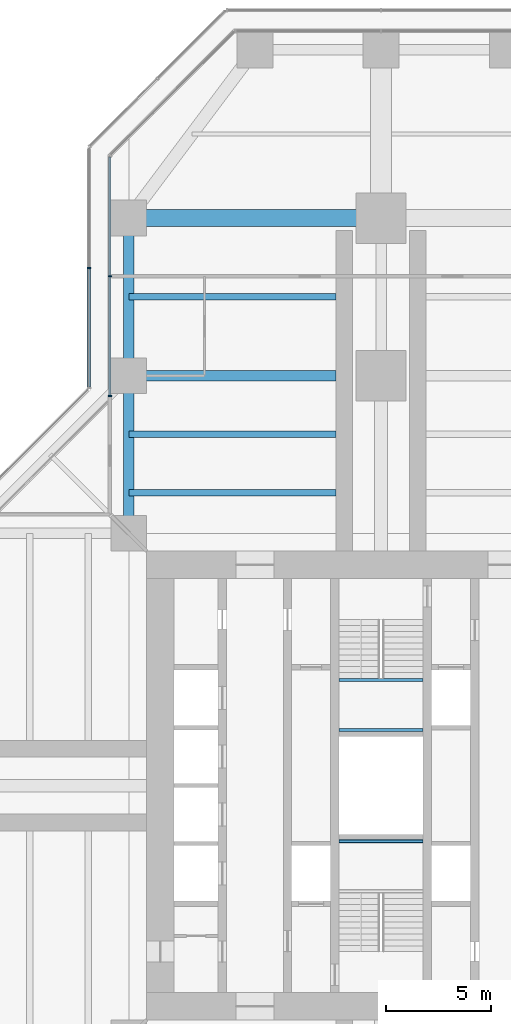
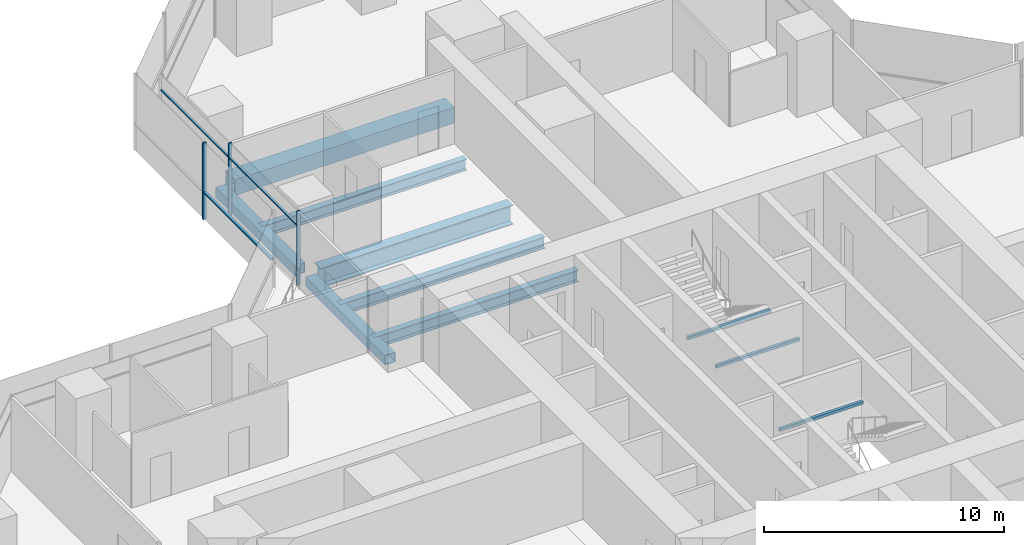
# One storey, part 9 of 22: 10 beams, 6 members, 2 elements without a shape of their own.
"""IFC4 building model written with IfcOpenShell, lengths in metres."""

from ifc_helpers import new_model, si_unit, direction, frame, origin, origin_2d, place, context, subcontext, project, spatial, rectangle, hollow_rectangle, i_section, extrude, material, material_profile, profile_set, type_object, element, aggregate, save


model = new_model("IFC4")

# Units and contexts
model_context = context("Model", 3, precision=1e-05, world=origin(), true_north=direction((0.0, 1.0)))
body_context = subcontext(model_context, "Body", "Model", "MODEL_VIEW")
ifc_project = project(units=[si_unit("LENGTHUNIT", "METRE"), si_unit("AREAUNIT", "SQUARE_METRE"), si_unit("VOLUMEUNIT", "CUBIC_METRE"), si_unit("PLANEANGLEUNIT", "RADIAN"), si_unit("MASSUNIT", "GRAM", prefix="KILO")], contexts=[model_context])

# Site, building, storey
site_placement = place(None, origin())
site = spatial("IfcSite", under=ifc_project, at=site_placement, CompositionType="ELEMENT")
building_placement = place(site_placement, origin())
building = spatial("IfcBuilding", under=site, at=building_placement, Name="Mizan Broadcast Tower", CompositionType="ELEMENT")
storey_placement = place(building_placement, frame((0.0, 0.0, 78.60009765625)))
storey = spatial("IfcBuildingStorey", under=building, at=storey_placement, Name="L16", CompositionType="ELEMENT", Elevation=78.60009765625)

# Beams
ifc_material_1 = material(Name="Steel S355", Category="steel")
ifc_material_profile_1 = material_profile(ifc_material_1, hollow_rectangle(XDim=0.5, YDim=0.5, WallThickness=0.030029296875, at=origin_2d()), Name="BOX 500x500x30")
ifc_profile_set_1 = profile_set([ifc_material_profile_1], Name="Steel S355")
beam_type_1 = type_object("IfcBeamType", Name="EDGE BEAM BOX 500x500x30", PredefinedType="SPANDREL", material=ifc_profile_set_1)
for number, where, z_axis, x_axis, name in (
    (1, (-12.0, 12.449951171875, -0.380126953125), (0.0, 1.0, 0.0), (-1.0, 0.0, 0.0), "Edge beam BOX 500x500x30 L16 north arm"),
    (2, (-12.0, 19.949951171875, -0.380126953125), (0.0, 1.0, 0.0), (-1.0, 0.0, 0.0), "Edge beam BOX 500x500x30 L16 north arm"),
):
    element("IfcBeam", number, at=place(storey_placement, frame(where, z_axis=z_axis, x_axis=x_axis)), inside=storey, type_object=beam_type_1, Name=name, PredefinedType="SPANDREL", context=body_context, shape_type="SweptSolid", body=[
        extrude(hollow_rectangle(XDim=0.5, YDim=0.5, WallThickness=0.030029296875, at=origin_2d()), origin(), (0.0, 0.0, 1.0), 6.60009765625),
    ])
ifc_material_2 = material(Name="Steel S460", Category="steel")
ifc_material_profile_2 = material_profile(ifc_material_2, hollow_rectangle(XDim=0.800048828125, YDim=0.800048828125, WallThickness=0.050048828125, at=origin_2d()), Name="BOX 800x800x50")
ifc_profile_set_2 = profile_set([ifc_material_profile_2], Name="Steel S460")
beam_type_2 = type_object("IfcBeamType", Name="GIRDER BOX 800x800x50", PredefinedType="BEAM", material=ifc_profile_set_2)
beam_1_placement = place(storey_placement, frame((-11.280029296875, 27.0, -0.530029296875), z_axis=(1.0, 0.0, 0.0), x_axis=(0.0, 1.0, 0.0)))
element("IfcBeam", 3, at=beam_1_placement, inside=storey, type_object=beam_type_2, Name="Girder BOX 800x800x50 L16 north arm", PredefinedType="BEAM", context=body_context, shape_type="SweptSolid", body=[
    extrude(hollow_rectangle(XDim=0.800048828125, YDim=0.800048828125, WallThickness=0.050048828125, at=origin_2d()), origin(), (0.0, 0.0, 1.0), 10.56005859375),
])
ifc_material_3 = material(Name="Steel S460", Category="steel")
ifc_material_profile_3 = material_profile(ifc_material_3, i_section(OverallWidth=0.5, OverallDepth=1.0, WebThickness=0.02490234375, FlangeThickness=0.050048828125, at=origin_2d()), Name="WPG 1000x500")
ifc_profile_set_3 = profile_set([ifc_material_profile_3], Name="Steel S460")
beam_type_3 = type_object("IfcBeamType", Name="GIRDER WPG 1000x500", PredefinedType="BEAM", material=ifc_profile_set_3)
beam_2_placement = place(storey_placement, frame((-11.408935546875, 19.5, -0.630126953125), z_axis=(1.0, 0.0, 0.0), x_axis=(0.0, 1.0, 0.0)))
element("IfcBeam", 4, at=beam_2_placement, inside=storey, type_object=beam_type_3, Name="Girder WPG 1000x500 L16 north arm", PredefinedType="BEAM", context=body_context, shape_type="SweptSolid", body=[
    extrude(i_section(OverallWidth=0.5, OverallDepth=1.0, WebThickness=0.02490234375, FlangeThickness=0.050048828125, at=origin_2d()), origin(), (0.0, 0.0, 1.0), 9.259033203125),
])

# Curtain wall, members
ifc_material_4 = material(Name="Aluminium framed glazing", Category="aluminium")
curtain_wall_type_1 = type_object("IfcCurtainWallType", Name="INNER SKIN LOW ZONE", PredefinedType="USERDEFINED", material=ifc_material_4)
curtain_wall_1_placement = place(storey_placement, origin())
curtain_wall_1 = element("IfcCurtainWall", 5, at=curtain_wall_1_placement, inside=storey, type_object=curtain_wall_type_1, Name="Inner skin low zone L16 N side", ObjectType="INNER SKIN LOW ZONE", PredefinedType="USERDEFINED")
ifc_material_5 = material(Name="Aluminium, pale anodised", Category="aluminium")
ifc_material_profile_4 = material_profile(ifc_material_5, rectangle(XDim=0.159912109375, YDim=0.06005859375, at=origin_2d()), Name="MULLION 160x60")
ifc_profile_set_4 = profile_set([ifc_material_profile_4], Name="Aluminium, pale anodised")
member_type_1 = type_object("IfcMemberType", Name="INNER SKIN MULLION 60x160", PredefinedType="MULLION", material=ifc_profile_set_4)
member_1_placement = place(storey_placement, frame((-12.89990234375, 24.229248046875, 0.0), z_axis=(0.0, 0.0, 1.0), x_axis=(1.0, 0.0, 0.0)))
member_1 = element("IfcMember", 6, at=member_1_placement, type_object=member_type_1, Name="Inner skin low zone L16 N side mullion 2", PredefinedType="MULLION", context=body_context, shape_type="SweptSolid", body=[
    extrude(rectangle(XDim=0.159912109375, YDim=0.06005859375, at=origin_2d()), origin(), (0.0, 0.0, 1.0), 3.77001953125),
])
member_2_placement = place(storey_placement, frame((-12.89990234375, 18.530029296875, 0.0), z_axis=(0.0, 0.0, 1.0), x_axis=(1.0, 0.0, 0.0)))
member_2 = element("IfcMember", 7, at=member_2_placement, type_object=member_type_1, Name="Inner skin low zone L16 N side mullion 3", PredefinedType="MULLION", context=body_context, shape_type="SweptSolid", body=[
    extrude(rectangle(XDim=0.159912109375, YDim=0.06005859375, at=origin_2d()), origin(), (0.0, 0.0, 1.0), 3.77001953125),
])
ifc_material_6 = material(Name="Aluminium, pale anodised", Category="aluminium")
ifc_material_profile_5 = material_profile(ifc_material_6, rectangle(XDim=0.1201171875, YDim=0.06005859375, at=origin_2d()), Name="TRANSOM 120x60")
ifc_profile_set_5 = profile_set([ifc_material_profile_5], Name="Aluminium, pale anodised")
member_type_2 = type_object("IfcMemberType", Name="INNER SKIN TRANSOM 60x120", PredefinedType="USERDEFINED", material=ifc_profile_set_5)
member_3_placement = place(storey_placement, frame((-12.89990234375, 29.898681640625, 3.02978515625), z_axis=(0.0, -1.0, 0.0), x_axis=(1.0, 0.0, 0.0)))
member_3 = element("IfcMember", 8, at=member_3_placement, type_object=member_type_2, Name="Inner skin low zone L16 N side transom 1.1", ObjectType="TRANSOM", PredefinedType="USERDEFINED", context=body_context, shape_type="SweptSolid", body=[
    extrude(rectangle(XDim=0.1201171875, YDim=0.06005859375, at=origin_2d()), origin(), (0.0, 0.0, 1.0), 5.639404296875),
])
member_4_placement = place(storey_placement, frame((-12.89990234375, 24.19921875, 3.02978515625), z_axis=(0.0, -1.0, 0.0), x_axis=(1.0, 0.0, 0.0)))
member_4 = element("IfcMember", 9, at=member_4_placement, type_object=member_type_2, Name="Inner skin low zone L16 N side transom 2.1", ObjectType="TRANSOM", PredefinedType="USERDEFINED", context=body_context, shape_type="SweptSolid", body=[
    extrude(rectangle(XDim=0.1201171875, YDim=0.06005859375, at=origin_2d()), origin(), (0.0, 0.0, 1.0), 5.63916015625),
])
aggregate(curtain_wall_1, [member_1, member_2, member_3, member_4])

# Beams
ifc_material_7 = material(Name="Steel S355", Category="steel")
ifc_material_profile_6 = material_profile(ifc_material_7, hollow_rectangle(XDim=0.14990234375, YDim=0.14990234375, WallThickness=0.008056640625, InnerFilletRadius=0.008056640625, OuterFilletRadius=0.011962890625, at=origin_2d()), Name="SHS 150x150x8")
ifc_profile_set_6 = profile_set([ifc_material_profile_6], Name="Steel S355")
beam_type_4 = type_object("IfcBeamType", Name="LANDING TRIMMER SHS 150x150x8", PredefinedType="BEAM", material=ifc_profile_set_6)
for number, where, z_axis, x_axis, name in (
    (10, (-2.0, -2.64990234375, 1.6748046875), (1.0, 0.0, 0.0), (0.0, 1.0, 0.0), "Stair A landing trimmer L16"),
    (11, (2.0, 5.02490234375, 1.6748046875), (-1.0, 0.0, 0.0), (0.0, -1.0, 0.0), "Stair B landing trimmer L16"),
    (12, (2.0, 2.64990234375, 1.6748046875), (-1.0, 0.0, 0.0), (0.0, -1.0, 0.0), "Stair B landing trimmer L16"),
):
    element("IfcBeam", number, at=place(storey_placement, frame(where, z_axis=z_axis, x_axis=x_axis)), inside=storey, type_object=beam_type_4, Name=name, PredefinedType="BEAM", context=body_context, shape_type="SweptSolid", body=[
        extrude(hollow_rectangle(XDim=0.14990234375, YDim=0.14990234375, WallThickness=0.008056640625, InnerFilletRadius=0.008056640625, OuterFilletRadius=0.011962890625, at=origin_2d()), origin(), (0.0, 0.0, 1.0), 4.0),
    ])

# Curtain wall, members
ifc_material_8 = material(Name="Aluminium framed glazing", Category="aluminium")
curtain_wall_type_2 = type_object("IfcCurtainWallType", Name="OUTER SKIN", PredefinedType="USERDEFINED", material=ifc_material_8)
curtain_wall_2_placement = place(storey_placement, origin())
curtain_wall_2 = element("IfcCurtainWall", 13, at=curtain_wall_2_placement, inside=storey, type_object=curtain_wall_type_2, Name="Outer skin L16 N side", ObjectType="OUTER SKIN", PredefinedType="USERDEFINED")
ifc_material_9 = material(Name="Aluminium, pale anodised", Category="aluminium")
ifc_material_profile_7 = material_profile(ifc_material_9, rectangle(XDim=0.159912109375, YDim=0.080078125, at=origin_2d()), Name="MULLION 160x80")
ifc_profile_set_7 = profile_set([ifc_material_profile_7], Name="Aluminium, pale anodised")
member_type_3 = type_object("IfcMemberType", Name="OUTER SKIN MULLION 80x160", PredefinedType="MULLION", material=ifc_profile_set_7)
member_5_placement = place(storey_placement, frame((-13.89990234375, 24.622802734375, 0.0), z_axis=(0.0, 0.0, 1.0), x_axis=(1.0, 0.0, 0.0)))
member_5 = element("IfcMember", 14, at=member_5_placement, type_object=member_type_3, Name="Outer skin L16 N side mullion 2", PredefinedType="MULLION", context=body_context, shape_type="SweptSolid", body=[
    extrude(rectangle(XDim=0.159912109375, YDim=0.080078125, at=origin_2d()), origin(), (0.0, 0.0, 1.0), 3.89990234375),
])
ifc_material_10 = material(Name="Aluminium, pale anodised", Category="aluminium")
ifc_material_profile_8 = material_profile(ifc_material_10, rectangle(XDim=0.159912109375, YDim=0.06005859375, at=origin_2d()), Name="TRANSOM 160x60")
ifc_profile_set_8 = profile_set([ifc_material_profile_8], Name="Aluminium, pale anodised")
member_type_4 = type_object("IfcMemberType", Name="OUTER SKIN TRANSOM 60x160", PredefinedType="USERDEFINED", material=ifc_profile_set_8)
member_6_placement = place(storey_placement, frame((-13.89990234375, 24.582763671875, 1.39990234375), z_axis=(0.0, -1.0, 0.0), x_axis=(1.0, 0.0, 0.0)))
member_6 = element("IfcMember", 15, at=member_6_placement, type_object=member_type_4, Name="Outer skin L16 N side transom 2.1", ObjectType="TRANSOM", PredefinedType="USERDEFINED", context=body_context, shape_type="SweptSolid", body=[
    extrude(rectangle(XDim=0.159912109375, YDim=0.06005859375, at=origin_2d()), origin(), (0.0, 0.0, 1.0), 5.6298828125),
])
aggregate(curtain_wall_2, [member_5, member_6])

# Beams
ifc_material_11 = material(Name="Steel S355", Category="steel")
ifc_material_profile_9 = material_profile(ifc_material_11, i_section(OverallWidth=0.300048828125, OverallDepth=0.590087890625, WebThickness=0.012939453125, FlangeThickness=0.02490234375, FilletRadius=0.027099609375, at=origin_2d()), Name="HEA 600")
ifc_profile_set_9 = profile_set([ifc_material_profile_9], Name="Steel S355")
beam_type_5 = type_object("IfcBeamType", Name="SECONDARY BEAM HEA 600", PredefinedType="JOIST", material=ifc_profile_set_9)
for number, where, z_axis, x_axis, name in (
    (16, (-12.0, 13.933349609375, -0.425048828125), (1.0, 0.0, 0.0), (0.0, 1.0, 0.0), "Secondary beam HEA 600 L16 north arm"),
    (17, (-12.0, 16.716552734375, -0.425048828125), (1.0, 0.0, 0.0), (0.0, 1.0, 0.0), "Secondary beam HEA 600 L16 north arm"),
    (18, (-12.0, 23.25, -0.425048828125), (1.0, 0.0, 0.0), (0.0, 1.0, 0.0), "Secondary beam HEA 600 L16 north arm"),
):
    element("IfcBeam", number, at=place(storey_placement, frame(where, z_axis=z_axis, x_axis=x_axis)), inside=storey, type_object=beam_type_5, Name=name, PredefinedType="JOIST", context=body_context, shape_type="SweptSolid", body=[
        extrude(i_section(OverallWidth=0.300048828125, OverallDepth=0.590087890625, WebThickness=0.012939453125, FlangeThickness=0.02490234375, FilletRadius=0.027099609375, at=origin_2d()), origin(), (0.0, 0.0, 1.0), 9.85009765625),
    ])

save(model, "model.ifc")
